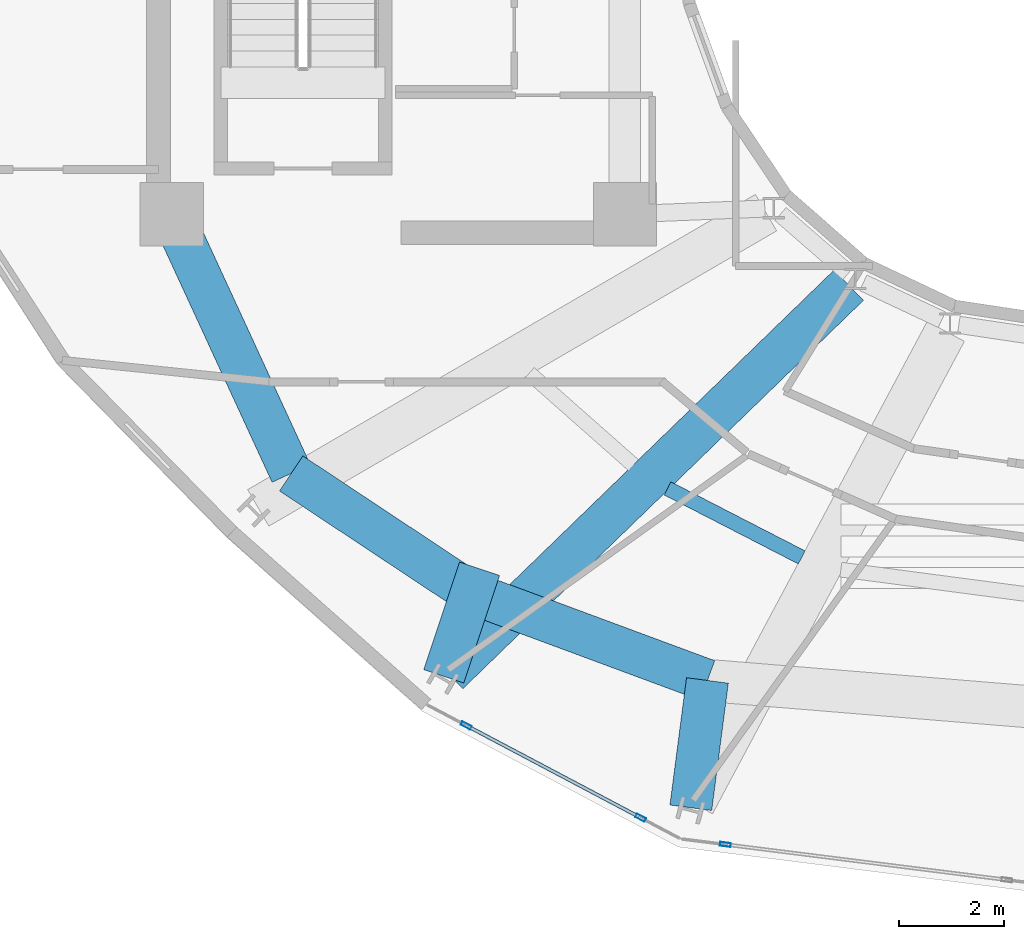
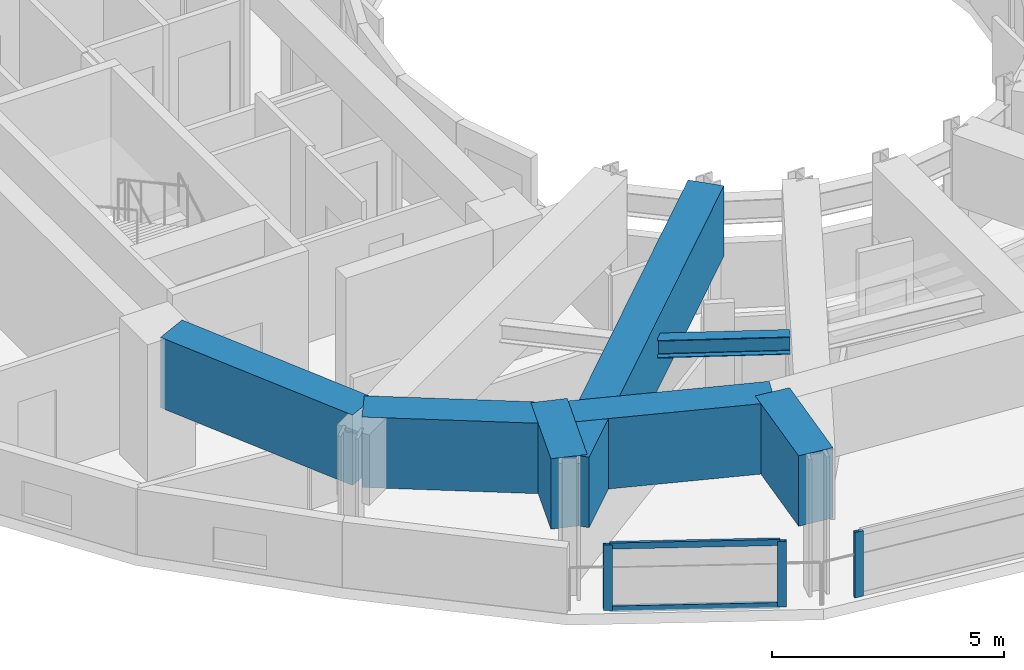
# One storey, part 2 of 21: 7 beams, 5 members, 2 elements without a shape of their own.
"""IFC4 building model written with IfcOpenShell, lengths in metres."""

from ifc_helpers import new_model, si_unit, direction, frame, origin, origin_2d, place, context, subcontext, project, spatial, rectangle, hollow_rectangle, i_section, extrude, material, layer, layer_set, material_profile, profile_set, type_object, element, aggregate, save


model = new_model("IFC4")

# Units and contexts
model_context = context("Model", 3, precision=1e-05, world=origin(), true_north=direction((0.0, 1.0)))
body_context = subcontext(model_context, "Body", "Model", "MODEL_VIEW")
ifc_project = project(units=[si_unit("LENGTHUNIT", "METRE"), si_unit("AREAUNIT", "SQUARE_METRE"), si_unit("VOLUMEUNIT", "CUBIC_METRE"), si_unit("PLANEANGLEUNIT", "RADIAN"), si_unit("MASSUNIT", "GRAM", prefix="KILO")], contexts=[model_context])

# Site, building, storey
site_placement = place(None, origin())
site = spatial("IfcSite", under=ifc_project, at=site_placement, CompositionType="ELEMENT")
building_placement = place(site_placement, origin())
building = spatial("IfcBuilding", under=site, at=building_placement, Name="Solvane Sanctuary Tower", CompositionType="ELEMENT")
storey_placement = place(building_placement, frame((0.0, 0.0, 256.800048828125)))
storey = spatial("IfcBuildingStorey", under=building, at=storey_placement, Name="L78", CompositionType="ELEMENT", Elevation=256.800048828125)

# Beams
ifc_material_1 = material(Name="Steel ASTM A992 Grade 50", Category="steel")
ifc_material_profile_1 = material_profile(ifc_material_1, i_section(OverallWidth=0.280029296875, OverallDepth=0.462890625, WebThickness=0.0107421875, FlangeThickness=0.017333984375, FilletRadius=0.013916015625, at=origin_2d()), Name="W18X76")
ifc_profile_set_1 = profile_set([ifc_material_profile_1], Name="Steel ASTM A992 Grade 50")
beam_type_1 = type_object("IfcBeamType", Name="Beam B-SEC-JOIST W18X76", PredefinedType="JOIST", material=ifc_profile_set_1)
beam_1_placement = place(storey_placement, frame((24.708740234375, 11.69921875, 2.866455078125), z_axis=(0.889218442603, -0.457482853596, 0.0), x_axis=(0.457482853596, 0.889218442603, 0.0)))
element("IfcBeam", 1, at=beam_1_placement, inside=storey, type_object=beam_type_1, Name="L78 Secondary Circumferential Joist 09-10", PredefinedType="JOIST", context=body_context, shape_type="SweptSolid", body=[
    extrude(i_section(OverallWidth=0.280029296875, OverallDepth=0.462890625, WebThickness=0.0107421875, FlangeThickness=0.017333984375, FilletRadius=0.013916015625, at=origin_2d()), origin(), (0.0, 0.0, 1.0), 2.863525390625),
])
ifc_material_2 = material(Name="Concrete C70/85", Category="concrete")
ifc_material_profile_2 = material_profile(ifc_material_2, rectangle(XDim=0.800048828125, YDim=1.85009765625, at=origin_2d()), Name="RC800X1850")
ifc_profile_set_2 = profile_set([ifc_material_profile_2], Name="Concrete C70/85")
beam_type_2 = type_object("IfcBeamType", Name="Beam B-XFER-BLK RC800X1850", PredefinedType="BEAM", material=ifc_profile_set_2)
beam_2_placement = place(storey_placement, frame((28.14794921875, 15.55517578125, 2.675048828125), z_axis=(-0.717927626633, -0.696117750756, 0.0), x_axis=(0.696117750756, -0.717927626633, 0.0)))
element("IfcBeam", 2, at=beam_2_placement, inside=storey, type_object=beam_type_2, Name="L78 Block-Shift Radial Transfer Girder 09A", PredefinedType="BEAM", context=body_context, shape_type="SweptSolid", body=[
    extrude(rectangle(XDim=0.800048828125, YDim=1.85009765625, at=origin_2d()), origin(), (0.0, 0.0, 1.0), 10.589599609375),
])
beam_3_placement = place(storey_placement, frame((20.460693359375, 8.133544921875, 2.675048828125), z_axis=(0.316364028668, 0.948637866293, 0.0), x_axis=(-0.948637866293, 0.316364028668, 0.0)))
element("IfcBeam", 3, at=beam_3_placement, inside=storey, type_object=beam_type_2, Name="L78 Block-Shift Transfer Tie 09B", PredefinedType="BEAM", context=body_context, shape_type="SweptSolid", body=[
    extrude(rectangle(XDim=0.800048828125, YDim=1.85009765625, at=origin_2d()), origin(), (0.0, 0.0, 1.0), 2.14990234375),
])
beam_4_placement = place(storey_placement, frame((25.150390625, 5.63818359375, 2.675048828125), z_axis=(0.129531905848, 0.991575254515, 0.0), x_axis=(-0.991575254515, 0.129531905848, 0.0)))
element("IfcBeam", 4, at=beam_4_placement, inside=storey, type_object=beam_type_2, Name="L78 Block-Shift Transfer Tie 10B", PredefinedType="BEAM", context=body_context, shape_type="SweptSolid", body=[
    extrude(rectangle(XDim=0.800048828125, YDim=1.85009765625, at=origin_2d()), origin(), (0.0, 0.0, 1.0), 2.43701171875),
])
beam_5_placement = place(storey_placement, frame((15.45068359375, 16.572998046875, 2.675048828125), z_axis=(0.418684447002, -0.908131782198, 0.0), x_axis=(0.908131782198, 0.418684447002, 0.0)))
element("IfcBeam", 5, at=beam_5_placement, inside=storey, type_object=beam_type_2, Name="L78 Perimeter Step Transfer Ring CW1-NTC08", PredefinedType="BEAM", context=body_context, shape_type="SweptSolid", body=[
    extrude(rectangle(XDim=0.800048828125, YDim=1.85009765625, at=origin_2d()), origin(), (0.0, 0.0, 1.0), 5.054443359375),
])
beam_6_placement = place(storey_placement, frame((17.56689453125, 11.98291015625, 2.675048828125), z_axis=(0.833429471905, -0.552625836674, 0.0), x_axis=(0.552625836674, 0.833429471905, 0.0)))
element("IfcBeam", 6, at=beam_6_placement, inside=storey, type_object=beam_type_2, Name="L78 Perimeter Step Transfer Ring NTC08-NTC09", PredefinedType="BEAM", context=body_context, shape_type="SweptSolid", body=[
    extrude(rectangle(XDim=0.800048828125, YDim=1.85009765625, at=origin_2d()), origin(), (0.0, 0.0, 1.0), 4.1044921875),
])
beam_7_placement = place(storey_placement, frame((20.98779296875, 9.714599609375, 2.675048828125), z_axis=(0.937660553204, -0.347552423335, 0.0), x_axis=(0.347552423335, 0.937660553204, 0.0)))
element("IfcBeam", 7, at=beam_7_placement, inside=storey, type_object=beam_type_2, Name="L78 Perimeter Step Transfer Ring NTC09-NTC10", PredefinedType="BEAM", context=body_context, shape_type="SweptSolid", body=[
    extrude(rectangle(XDim=0.800048828125, YDim=1.85009765625, at=origin_2d()), origin(), (0.0, 0.0, 1.0), 4.776123046875),
])

# Curtain wall, members
ifc_material_3 = material(Name="Anodised Aluminium 6063-T6", Category="aluminium")
ifc_layer = layer(ifc_material_3, 0.18994140625, Name="Anodised Aluminium 6063-T6")
ifc_layer_set = layer_set([ifc_layer], Name="Anodised Aluminium 6063-T6")
curtain_wall_type = type_object("IfcCurtainWallType", Name="Curtain Wall CW-OPER", PredefinedType="NOTDEFINED", material=ifc_layer_set)
curtain_wall_1_placement = place(storey_placement, origin())
curtain_wall_1 = element("IfcCurtainWall", 8, at=curtain_wall_1_placement, inside=storey, type_object=curtain_wall_type, Name="L78 CW-OPER Facade Run 16", PredefinedType="NOTDEFINED")
ifc_material_profile_3 = material_profile(ifc_material_3, hollow_rectangle(XDim=0.074951171875, YDim=0.199951171875, WallThickness=0.00390625, at=origin_2d()), Name="ALU200X75X4")
ifc_profile_set_3 = profile_set([ifc_material_profile_3], Name="Anodised Aluminium 6063-T6")
member_type_1 = type_object("IfcMemberType", Name="Member M-CW-MUL-1 ALU200X75X4", PredefinedType="MULLION", material=ifc_profile_set_3)
member_1_placement = place(storey_placement, frame((20.887939453125, 7.199951171875, 0.0), z_axis=(0.0, 0.0, 1.0), x_axis=(0.467523293544, 0.883980752049, 0.0)))
member_1 = element("IfcMember", 9, at=member_1_placement, type_object=member_type_1, Name="CW-OPER mullion 1", PredefinedType="MULLION", context=body_context, shape_type="SweptSolid", body=[
    extrude(hollow_rectangle(XDim=0.074951171875, YDim=0.199951171875, WallThickness=0.00390625, at=origin_2d()), origin(), (0.0, 0.0, 1.0), 1.719970703125),
])
member_2_placement = place(storey_placement, frame((24.198974609375, 5.448974609375, 0.0), z_axis=(0.0, 0.0, 1.0), x_axis=(0.467523293544, 0.883980752049, 0.0)))
member_2 = element("IfcMember", 10, at=member_2_placement, type_object=member_type_1, Name="CW-OPER mullion 2", PredefinedType="MULLION", context=body_context, shape_type="SweptSolid", body=[
    extrude(hollow_rectangle(XDim=0.074951171875, YDim=0.199951171875, WallThickness=0.00390625, at=origin_2d()), origin(), (0.0, 0.0, 1.0), 1.719970703125),
])

# Curtain wall, member
curtain_wall_2_placement = place(storey_placement, origin())
curtain_wall_2 = element("IfcCurtainWall", 11, at=curtain_wall_2_placement, inside=storey, type_object=curtain_wall_type, Name="L78 CW-OPER Facade Run 17", PredefinedType="NOTDEFINED")
member_3_placement = place(storey_placement, frame((25.807861328125, 4.941162109375, 0.0), z_axis=(0.0, 0.0, 1.0), x_axis=(0.124814850727, 0.992180050716, 0.0)))
member_3 = element("IfcMember", 12, at=member_3_placement, type_object=member_type_1, Name="CW-OPER mullion 1", PredefinedType="MULLION", context=body_context, shape_type="SweptSolid", body=[
    extrude(hollow_rectangle(XDim=0.074951171875, YDim=0.199951171875, WallThickness=0.00390625, at=origin_2d()), origin(), (0.0, 0.0, 1.0), 1.719970703125),
])
aggregate(curtain_wall_2, [member_3])

# Member
ifc_material_profile_4 = material_profile(ifc_material_3, hollow_rectangle(XDim=0.06494140625, YDim=0.159912109375, WallThickness=0.00341796875, at=origin_2d()), Name="ALU160X65X3.5")
ifc_profile_set_4 = profile_set([ifc_material_profile_4], Name="Anodised Aluminium 6063-T6")
member_type_2 = type_object("IfcMemberType", Name="Member M-CW-TRN-1 ALU160X65X3.5", PredefinedType="USERDEFINED", material=ifc_profile_set_4)
member_4_placement = place(storey_placement, frame((20.921142578125, 7.1826171875, 0.032470703125), z_axis=(0.883977140568, -0.467530121975, 0.0), x_axis=(0.467530121975, 0.883977140568, 0.0)))
member_4 = element("IfcMember", 13, at=member_4_placement, type_object=member_type_2, Name="CW-OPER transom 1.1", ObjectType="TRANSOM", PredefinedType="USERDEFINED", context=body_context, shape_type="SweptSolid", body=[
    extrude(hollow_rectangle(XDim=0.06494140625, YDim=0.159912109375, WallThickness=0.00341796875, at=origin_2d()), origin(), (0.0, 0.0, 1.0), 3.67041015625),
])

member_5_placement = place(storey_placement, frame((20.921142578125, 7.1826171875, 1.6875), z_axis=(0.883977140568, -0.467530121975, 0.0), x_axis=(0.467530121975, 0.883977140568, 0.0)))
member_5 = element("IfcMember", 14, at=member_5_placement, type_object=member_type_2, Name="CW-OPER transom 1.2", ObjectType="TRANSOM", PredefinedType="USERDEFINED", context=body_context, shape_type="SweptSolid", body=[
    extrude(hollow_rectangle(XDim=0.06494140625, YDim=0.159912109375, WallThickness=0.00341796875, at=origin_2d()), origin(), (0.0, 0.0, 1.0), 3.67041015625),
])

aggregate(curtain_wall_1, [member_1, member_2, member_4, member_5])

save(model, "model.ifc")
